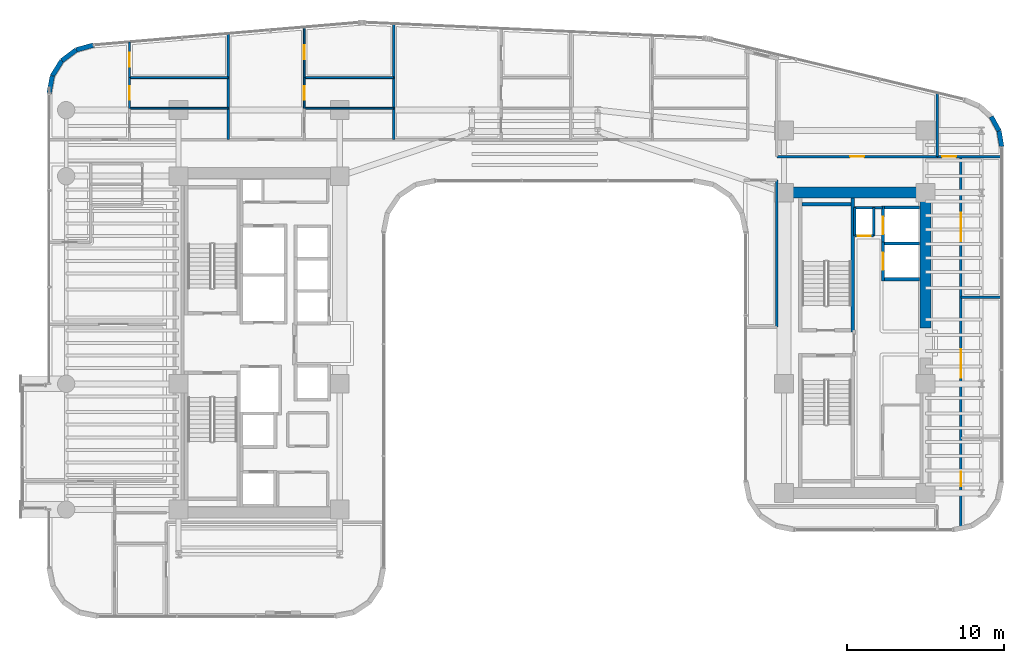
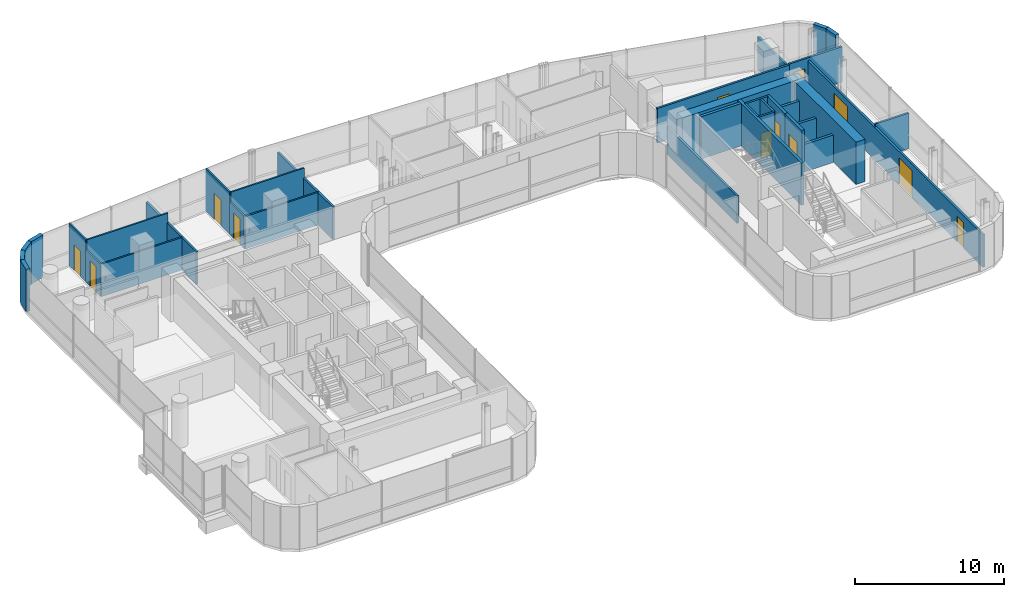
# One storey, part 31 of 37: 35 walls, 12 doors, 12 openings.
"""IFC4 building model written with IfcOpenShell, lengths in metres."""

from ifc_helpers import new_model, si_unit, direction, frame, frame_2d, origin, place, context, subcontext, project, spatial, rectangle, extrude, material, layer, layer_set, type_object, element, fill, save


model = new_model("IFC4")

# Units and contexts
model_context = context("Model", 3, precision=1e-05, world=origin(), true_north=direction((0.0, 1.0)))
body_context = subcontext(model_context, "Body", "Model", "MODEL_VIEW")
ifc_project = project(units=[si_unit("LENGTHUNIT", "METRE"), si_unit("AREAUNIT", "SQUARE_METRE"), si_unit("VOLUMEUNIT", "CUBIC_METRE"), si_unit("PLANEANGLEUNIT", "RADIAN"), si_unit("MASSUNIT", "GRAM", prefix="KILO")], contexts=[model_context])

# Site, building, storey
site_placement = place(None, origin())
site = spatial("IfcSite", under=ifc_project, at=site_placement, CompositionType="ELEMENT")
building_placement = place(site_placement, origin())
building = spatial("IfcBuilding", under=site, at=building_placement, Name="Valdorenza Pilgrim Sanctuary Tower", CompositionType="ELEMENT")
storey_placement = place(building_placement, frame((0.0, 0.0, 127.89990234375)))
storey = spatial("IfcBuildingStorey", under=building, at=storey_placement, Name="L32", CompositionType="ELEMENT", Elevation=127.89990234375)

# Wall, opening, door
ifc_material_1 = material(Name="Acoustic twin-stud gypsum partition", Category="gypsum")
ifc_layer_1 = layer(ifc_material_1, 0.159912109375, Name="Acoustic twin-stud gypsum partition")
ifc_layer_set_1 = layer_set([ifc_layer_1], Name="Acoustic twin-stud gypsum partition")
wall_type_1 = type_object("IfcWallType", Name="WAL-COR-160", PredefinedType="PARTITIONING", material=ifc_layer_set_1)
wall_1_placement = place(storey_placement, frame((20.35009765625, 6.800048828125, 0.0), z_axis=(0.0, 0.0, 1.0), x_axis=(1.0, 0.0, 0.0)))
wall_1 = element("IfcWall", 1, at=wall_1_placement, inside=storey, type_object=wall_type_1, Name="L32 Core B Riser South Wall", PredefinedType="PARTITIONING", context=body_context, shape_type="SweptSolid", body=[
    extrude(rectangle(XDim=1.199951171875, YDim=0.159912109375, at=frame_2d((0.60009765625, 0.0))), origin(), (0.0, 0.0, 1.0), 3.460205078125),
])
opening_1_placement = place(wall_1_placement, frame((0.175048828125, 0.0, 0.0)))
opening_1 = element("IfcOpeningElement", 2, at=opening_1_placement, cuts=wall_1, Name="Opening DR-RS1", PredefinedType="OPENING", context=body_context, shape_type="SweptSolid", body=[
    extrude(rectangle(XDim=0.85009765625, YDim=2.050048828125, at=frame_2d((0.425048828125, 1.02490234375))), frame((0.0, 0.0947265625, 0.0), z_axis=(0.0, -1.0, 0.0), x_axis=(1.0, 0.0, 0.0)), (0.0, 0.0, 1.0), 0.189697265625),
])
ifc_material_2 = material(Name="Painted galvanized steel", Category="steel")
door_type_1 = type_object("IfcDoorType", Name="DR-RSR-850", OperationType="NOTDEFINED", PredefinedType="DOOR", material=ifc_material_2)
door_1_placement = place(opening_1_placement, origin())
door_1 = element("IfcDoor", 3, at=door_1_placement, inside=storey, type_object=door_type_1, Name="L32 Core B Electrical Riser Door", OperationType="SINGLE_SWING_RIGHT", OverallHeight=2.050048828125, OverallWidth=0.85009765625, PredefinedType="DOOR", context=body_context, shape_type="SweptSolid", body=[
    extrude(rectangle(XDim=0.85009765625, YDim=2.050048828125, at=frame_2d((0.425048828125, 1.02490234375))), frame((0.0, 0.02490234375, 0.0), z_axis=(0.0, -1.0, 0.0), x_axis=(1.0, 0.0, 0.0)), (0.0, 0.0, 1.0), 0.050048828125),
])
fill(opening_1, door_1)

# Walls
for number, where, z_axis, x_axis, name in (
    (4, (21.550048828125, 6.800048828125, 0.0), (0.0, 0.0, 1.0), (0.0, 1.0, 0.0), "L32 Core B Riser East Wall"),
    (5, (20.35009765625, 6.800048828125, 0.0), (0.0, 0.0, 1.0), (0.0, 1.0, 0.0), "L32 Core B Riser West Wall"),
):
    element("IfcWall", number, at=place(storey_placement, frame(where, z_axis=z_axis, x_axis=x_axis)), inside=storey, type_object=wall_type_1, Name=name, PredefinedType="PARTITIONING", context=body_context, shape_type="SweptSolid", body=[
        extrude(rectangle(XDim=1.800048828125, YDim=0.159912109375, at=frame_2d((0.89990234375, 0.0))), origin(), (0.0, 0.0, 1.0), 3.460205078125),
    ])
wall_2_placement = place(storey_placement, frame((20.300048828125, 8.60009765625, 0.0), z_axis=(0.0, 0.0, 1.0), x_axis=(1.0, 0.0, 0.0)))
element("IfcWall", 6, at=wall_2_placement, inside=storey, type_object=wall_type_1, Name="L32 Core B Lift Hall North End Wall", PredefinedType="PARTITIONING", context=body_context, shape_type="SweptSolid", body=[
    extrude(rectangle(XDim=1.820068359375, YDim=0.159912109375, at=frame_2d((0.91015625, 0.0))), origin(), (0.0, 0.0, 1.0), 3.460205078125),
])

# Wall, opening, door
wall_3_placement = place(storey_placement, frame((15.39990234375, 11.85009765625, 0.0), z_axis=(0.0, 0.0, 1.0), x_axis=(1.0, 0.0, 0.0)))
wall_3 = element("IfcWall", 7, at=wall_3_placement, inside=storey, type_object=wall_type_1, Name="L32 Wing B North Corridor Wall", PredefinedType="PARTITIONING", context=body_context, shape_type="SweptSolid", body=[
    extrude(rectangle(XDim=10.2001953125, YDim=0.159912109375, at=frame_2d((5.10009765625, 0.0))), origin(), (0.0, 0.0, 1.0), 2.833984375),
])
opening_2_placement = place(wall_3_placement, frame((4.64990234375, 0.0, 0.0)))
opening_2 = element("IfcOpeningElement", 8, at=opening_2_placement, cuts=wall_3, Name="Opening DR-RM1", PredefinedType="OPENING", context=body_context, shape_type="SweptSolid", body=[
    extrude(rectangle(XDim=0.89990234375, YDim=2.10009765625, at=frame_2d((0.449951171875, 1.050048828125))), frame((0.0, 0.0947265625, 0.0), z_axis=(0.0, -1.0, 0.0), x_axis=(1.0, 0.0, 0.0)), (0.0, 0.0, 1.0), 0.189697265625),
])
ifc_material_3 = material(Name="Solid-core European oak timber", Category="wood")
door_type_2 = type_object("IfcDoorType", Name="DR-ROOM-900", OperationType="NOTDEFINED", PredefinedType="DOOR", material=ifc_material_3)
door_2_placement = place(opening_2_placement, frame((0.89990234375, 0.0, 0.0), z_axis=(0.0, 0.0, 1.0), x_axis=(-1.0, 0.0, 0.0)))
door_2 = element("IfcDoor", 9, at=door_2_placement, inside=storey, type_object=door_type_2, Name="L32 Curator Research Office L32-BN1 Door", OperationType="SINGLE_SWING_LEFT", OverallHeight=2.10009765625, OverallWidth=0.89990234375, PredefinedType="DOOR", context=body_context, shape_type="SweptSolid", body=[
    extrude(rectangle(XDim=0.89990234375, YDim=2.10009765625, at=frame_2d((0.449951171875, 1.050048828125))), frame((0.0, 0.02490234375, 0.0), z_axis=(0.0, -1.0, 0.0), x_axis=(1.0, 0.0, 0.0)), (0.0, 0.0, 1.0), 0.050048828125),
])
fill(opening_2, door_2)

# Wall
wall_4_placement = place(storey_placement, frame((25.60009765625, 11.85009765625, 0.0), z_axis=(0.0, 0.0, 1.0), x_axis=(0.0, 1.0, 0.0)))
element("IfcWall", 10, at=wall_4_placement, inside=storey, type_object=wall_type_1, Name="L32 Wing B North East Wall", PredefinedType="PARTITIONING", context=body_context, shape_type="SweptSolid", body=[
    extrude(rectangle(XDim=4.042236328125, YDim=0.159912109375, at=frame_2d((2.02099609375, 0.0))), origin(), (0.0, 0.0, 1.0), 2.666015625),
])

# Wall, openings, doors
wall_5_placement = place(storey_placement, frame((27.10009765625, -11.660888671875, 0.0), z_axis=(0.0, 0.0, 1.0), x_axis=(0.0, 1.0, 0.0)))
wall_5 = element("IfcWall", 11, at=wall_5_placement, inside=storey, type_object=wall_type_1, Name="L32 Wing B East Corridor Wall", PredefinedType="PARTITIONING", context=body_context, shape_type="SweptSolid", body=[
    extrude(rectangle(XDim=23.510986328125, YDim=0.159912109375, at=frame_2d((11.75537109375, 0.0))), origin(), (0.0, 0.0, 1.0), 2.666015625),
])
opening_3_placement = place(wall_5_placement, frame((2.56005859375, 0.0, 0.0)))
opening_3 = element("IfcOpeningElement", 12, at=opening_3_placement, cuts=wall_5, Name="Opening DR-RM1", PredefinedType="OPENING", context=body_context, shape_type="SweptSolid", body=[
    extrude(rectangle(XDim=0.89990234375, YDim=2.10009765625, at=frame_2d((0.449951171875, 1.050048828125))), frame((0.0, 0.0947265625, 0.0), z_axis=(0.0, -1.0, 0.0), x_axis=(1.0, 0.0, 0.0)), (0.0, 0.0, 1.0), 0.189697265625),
])
opening_4_placement = place(wall_5_placement, frame((9.450927734375, 0.0, 0.0)))
opening_4 = element("IfcOpeningElement", 13, at=opening_4_placement, cuts=wall_5, Name="Opening DR-HL1", PredefinedType="OPENING", context=body_context, shape_type="SweptSolid", body=[
    extrude(rectangle(XDim=1.800048828125, YDim=2.14990234375, at=frame_2d((0.89990234375, 1.074951171875))), frame((0.0, 0.0947265625, 0.0), z_axis=(0.0, -1.0, 0.0), x_axis=(1.0, 0.0, 0.0)), (0.0, 0.0, 1.0), 0.189697265625),
])
opening_5_placement = place(wall_5_placement, frame((18.135986328125, 0.0, 0.0)))
opening_5 = element("IfcOpeningElement", 14, at=opening_5_placement, cuts=wall_5, Name="Opening DR-HL1", PredefinedType="OPENING", context=body_context, shape_type="SweptSolid", body=[
    extrude(rectangle(XDim=1.800048828125, YDim=2.14990234375, at=frame_2d((0.89990234375, 1.074951171875))), frame((0.0, 0.0947265625, 0.0), z_axis=(0.0, -1.0, 0.0), x_axis=(1.0, 0.0, 0.0)), (0.0, 0.0, 1.0), 0.189697265625),
])
ifc_material_4 = material(Name="Acoustic oak and vision-glass double door", Category="glass")
door_type_3 = type_object("IfcDoorType", Name="DR-HALL-1800", OperationType="NOTDEFINED", PredefinedType="DOOR", material=ifc_material_4)
door_3_placement = place(opening_4_placement, frame((1.800048828125, 0.0, 0.0), z_axis=(0.0, 0.0, 1.0), x_axis=(-1.0, 0.0, 0.0)))
door_3 = element("IfcDoor", 15, at=door_3_placement, inside=storey, type_object=door_type_3, Name="L32 East Reading Lounge L32-EB2 Door", OperationType="DOUBLE_DOOR_SINGLE_SWING", OverallHeight=2.14990234375, OverallWidth=1.800048828125, PredefinedType="DOOR", context=body_context, shape_type="SweptSolid", body=[
    extrude(rectangle(XDim=1.800048828125, YDim=2.14990234375, at=frame_2d((0.89990234375, 1.074951171875))), frame((0.0, 0.02490234375, 0.0), z_axis=(0.0, -1.0, 0.0), x_axis=(1.0, 0.0, 0.0)), (0.0, 0.0, 1.0), 0.050048828125),
])
fill(opening_4, door_3)
door_4_placement = place(opening_5_placement, origin())
door_4 = element("IfcDoor", 16, at=door_4_placement, inside=storey, type_object=door_type_3, Name="L32 East Reading Lounge L32-EB3 Door", OperationType="DOUBLE_DOOR_SINGLE_SWING", OverallHeight=2.14990234375, OverallWidth=1.800048828125, PredefinedType="DOOR", context=body_context, shape_type="SweptSolid", body=[
    extrude(rectangle(XDim=1.800048828125, YDim=2.14990234375, at=frame_2d((0.89990234375, 1.074951171875))), frame((0.0, 0.02490234375, 0.0), z_axis=(0.0, -1.0, 0.0), x_axis=(1.0, 0.0, 0.0)), (0.0, 0.0, 1.0), 0.050048828125),
])
fill(opening_5, door_4)
door_5_placement = place(opening_3_placement, origin())
door_5 = element("IfcDoor", 17, at=door_5_placement, inside=storey, type_object=door_type_2, Name="L32 East Reading Lounge L32-EB1 Door", OperationType="SINGLE_SWING_RIGHT", OverallHeight=2.10009765625, OverallWidth=0.89990234375, PredefinedType="DOOR", context=body_context, shape_type="SweptSolid", body=[
    extrude(rectangle(XDim=0.89990234375, YDim=2.10009765625, at=frame_2d((0.449951171875, 1.050048828125))), frame((0.0, 0.02490234375, 0.0), z_axis=(0.0, -1.0, 0.0), x_axis=(1.0, 0.0, 0.0)), (0.0, 0.0, 1.0), 0.050048828125),
])
fill(opening_3, door_5)

# Wall, opening, door
wall_6_placement = place(storey_placement, frame((25.60009765625, 11.85009765625, 0.0), z_axis=(0.0, 0.0, 1.0), x_axis=(1.0, 0.0, 0.0)))
wall_6 = element("IfcWall", 18, at=wall_6_placement, inside=storey, type_object=wall_type_1, Name="L32 East Wing NE Corner South Wall", PredefinedType="PARTITIONING", context=body_context, shape_type="SweptSolid", body=[
    extrude(rectangle(XDim=4.08984375, YDim=0.159912109375, at=frame_2d((2.044921875, 0.0))), origin(), (0.0, 0.0, 1.0), 2.89599609375),
])
opening_6_placement = place(wall_6_placement, frame((0.300048828125, 0.0, 0.0)))
opening_6 = element("IfcOpeningElement", 19, at=opening_6_placement, cuts=wall_6, Name="Opening DR-RM1", PredefinedType="OPENING", context=body_context, shape_type="SweptSolid", body=[
    extrude(rectangle(XDim=0.89990234375, YDim=2.10009765625, at=frame_2d((0.449951171875, 1.050048828125))), frame((0.0, 0.0947265625, 0.0), z_axis=(0.0, -1.0, 0.0), x_axis=(1.0, 0.0, 0.0)), (0.0, 0.0, 1.0), 0.189697265625),
])
door_6_placement = place(opening_6_placement, origin())
door_6 = element("IfcDoor", 20, at=door_6_placement, inside=storey, type_object=door_type_2, Name="L32 East North Alcove Office L32 Door", OperationType="SINGLE_SWING_LEFT", OverallHeight=2.10009765625, OverallWidth=0.89990234375, PredefinedType="DOOR", context=body_context, shape_type="SweptSolid", body=[
    extrude(rectangle(XDim=0.89990234375, YDim=2.10009765625, at=frame_2d((0.449951171875, 1.050048828125))), frame((0.0, 0.02490234375, 0.0), z_axis=(0.0, -1.0, 0.0), x_axis=(1.0, 0.0, 0.0)), (0.0, 0.0, 1.0), 0.050048828125),
])
fill(opening_6, door_6)

# Walls
wall_7_placement = place(storey_placement, frame((15.39990234375, 1.0, 0.0), z_axis=(0.0, 0.0, 1.0), x_axis=(0.0, 1.0, 0.0)))
element("IfcWall", 21, at=wall_7_placement, inside=storey, type_object=wall_type_1, Name="L32 Courtyard Overlook East Wall", PredefinedType="PARTITIONING", context=body_context, shape_type="SweptSolid", body=[
    extrude(rectangle(XDim=9.35009765625, YDim=0.159912109375, at=frame_2d((4.675048828125, 0.0))), origin(), (0.0, 0.0, 1.0), 2.2451171875),
])
ifc_material_5 = material(Name="Concrete C60/75", Category="concrete")
ifc_layer_2 = layer(ifc_material_5, 0.699951171875, Name="Concrete C60/75")
ifc_layer_set_2 = layer_set([ifc_layer_2], Name="Concrete C60/75")
wall_type_2 = type_object("IfcWallType", Name="WAL-COR-700", PredefinedType="SHEAR", material=ifc_layer_set_2)
wall_8_placement = place(storey_placement, frame((24.85009765625, 0.949951171875, 0.0), z_axis=(0.0, 0.0, 1.0), x_axis=(0.0, 1.0, 0.0)))
element("IfcWall", 22, at=wall_8_placement, inside=storey, type_object=wall_type_2, Name="L32 Split Core B Shear Wall EN", PredefinedType="SHEAR", context=body_context, shape_type="SweptSolid", body=[
    extrude(rectangle(XDim=8.949951171875, YDim=0.699951171875, at=frame_2d((4.47509765625, 0.0))), origin(), (0.0, 0.0, 1.0), 3.460205078125),
])
wall_9_placement = place(storey_placement, frame((15.85009765625, 9.550048828125, 0.0), z_axis=(0.0, 0.0, 1.0), x_axis=(1.0, 0.0, 0.0)))
element("IfcWall", 23, at=wall_9_placement, inside=storey, type_object=wall_type_2, Name="L32 Split Core B Shear Wall N", PredefinedType="SHEAR", context=body_context, shape_type="SweptSolid", body=[
    extrude(rectangle(XDim=9.0, YDim=0.699951171875, at=frame_2d((4.5, 0.0))), origin(), (0.0, 0.0, 1.0), 3.460205078125),
])
ifc_material_6 = material(Name="Honed travertine limestone", Category="masonry")
ifc_layer_3 = layer(ifc_material_6, 0.300048828125, Name="Honed travertine limestone")
ifc_layer_set_3 = layer_set([ifc_layer_3], Name="Honed travertine limestone")
wall_type_3 = type_object("IfcWallType", Name="WAL-EXT-300", PredefinedType="SOLIDWALL", material=ifc_layer_set_3)
wall_10_placement = place(storey_placement, frame((-30.889892578125, 15.850341796875, 0.0), z_axis=(0.0, 0.0, 1.0), x_axis=(0.184557499391, 0.982821718023, 0.0)))
element("IfcWall", 24, at=wall_10_placement, inside=storey, type_object=wall_type_3, Name="L32 Rounded Wind-Corner Stone Pier 2", PredefinedType="SOLIDWALL", context=body_context, shape_type="SweptSolid", body=[
    extrude(rectangle(XDim=1.15087890625, YDim=0.300048828125, at=frame_2d((0.575439453125, 0.0))), origin(), (0.0, 0.0, 1.0), 3.460205078125),
])
wall_11_placement = place(storey_placement, frame((-30.677490234375, 16.9814453125, 0.0), z_axis=(0.0, 0.0, 1.0), x_axis=(0.52880576008, 0.848742875143, 0.0)))
element("IfcWall", 25, at=wall_11_placement, inside=storey, type_object=wall_type_3, Name="L32 Rounded Wind-Corner Stone Pier 3", PredefinedType="SOLIDWALL", context=body_context, shape_type="SweptSolid", body=[
    extrude(rectangle(XDim=1.140869140625, YDim=0.300048828125, at=frame_2d((0.5703125, 0.0))), origin(), (0.0, 0.0, 1.0), 3.460205078125),
])
wall_12_placement = place(storey_placement, frame((-30.07421875, 17.94970703125, 0.0), z_axis=(0.0, 0.0, 1.0), x_axis=(0.800975009324, 0.598697782223, 0.0)))
element("IfcWall", 26, at=wall_12_placement, inside=storey, type_object=wall_type_3, Name="L32 Rounded Wind-Corner Stone Pier 4", PredefinedType="SOLIDWALL", context=body_context, shape_type="SweptSolid", body=[
    extrude(rectangle(XDim=1.140625, YDim=0.300048828125, at=frame_2d((0.5703125, 0.0))), origin(), (0.0, 0.0, 1.0), 3.460205078125),
])
wall_13_placement = place(storey_placement, frame((-29.16064453125, 18.632568359375, 0.0), z_axis=(0.0, 0.0, 1.0), x_axis=(0.963624193367, 0.267260947313, 0.0)))
element("IfcWall", 27, at=wall_13_placement, inside=storey, type_object=wall_type_3, Name="L32 Rounded Wind-Corner Stone Pier 5", PredefinedType="SOLIDWALL", context=body_context, shape_type="SweptSolid", body=[
    extrude(rectangle(XDim=1.15087890625, YDim=0.300048828125, at=frame_2d((0.575439453125, 0.0))), origin(), (0.0, 0.0, 1.0), 3.460205078125),
])
wall_14_placement = place(storey_placement, frame((29.024658203125, 14.388427734375, 0.0), z_axis=(0.0, 0.0, 1.0), x_axis=(0.480284137298, -0.87711296163, 0.0)))
element("IfcWall", 28, at=wall_14_placement, inside=storey, type_object=wall_type_3, Name="L32 Rounded Wind-Corner Stone Pier 19", PredefinedType="SOLIDWALL", context=body_context, shape_type="SweptSolid", body=[
    extrude(rectangle(XDim=1.02685546875, YDim=0.300048828125, at=frame_2d((0.513427734375, 0.0))), origin(), (0.0, 0.0, 1.0), 3.460205078125),
])
wall_15_placement = place(storey_placement, frame((29.517822265625, 13.48779296875, 0.0), z_axis=(0.0, 0.0, 1.0), x_axis=(0.166156796952, -0.986099345313, 0.0)))
element("IfcWall", 29, at=wall_15_placement, inside=storey, type_object=wall_type_3, Name="L32 Rounded Wind-Corner Stone Pier 20", PredefinedType="SOLIDWALL", context=body_context, shape_type="SweptSolid", body=[
    extrude(rectangle(XDim=1.035888671875, YDim=0.300048828125, at=frame_2d((0.51806640625, 0.0))), origin(), (0.0, 0.0, 1.0), 3.460205078125),
])
ifc_material_7 = material(Name="Moisture-resistant gypsum partition", Category="gypsum")
ifc_layer_4 = layer(ifc_material_7, 0.1201171875, Name="Moisture-resistant gypsum partition")
ifc_layer_set_4 = layer_set([ifc_layer_4], Name="Moisture-resistant gypsum partition")
wall_type_4 = type_object("IfcWallType", Name="WAL-INT-120", PredefinedType="PARTITIONING", material=ifc_layer_set_4)
wall_16_placement = place(storey_placement, frame((-25.77490234375, 14.919921875, 0.0), z_axis=(0.0, 0.0, 1.0), x_axis=(1.0, 0.0, 0.0)))
element("IfcWall", 30, at=wall_16_placement, inside=storey, type_object=wall_type_4, Name="L32 North Sanctuary Apartment L32-N1 Bath-Kitchen Wall", PredefinedType="PARTITIONING", context=body_context, shape_type="SweptSolid", body=[
    extrude(rectangle(XDim=6.27490234375, YDim=0.1201171875, at=frame_2d((3.137451171875, 0.0))), origin(), (0.0, 0.0, 1.0), 2.666015625),
])
wall_17_placement = place(storey_placement, frame((-25.77490234375, 16.8701171875, 0.0), z_axis=(0.0, 0.0, 1.0), x_axis=(1.0, 0.0, 0.0)))
element("IfcWall", 31, at=wall_17_placement, inside=storey, type_object=wall_type_4, Name="L32 North Sanctuary Apartment L32-N1 Kitchen-Bedroom Wall", PredefinedType="PARTITIONING", context=body_context, shape_type="SweptSolid", body=[
    extrude(rectangle(XDim=6.27490234375, YDim=0.1201171875, at=frame_2d((3.137451171875, 0.0))), origin(), (0.0, 0.0, 1.0), 3.460205078125),
])

# Wall, opening, door
wall_18_placement = place(storey_placement, frame((-25.77490234375, 14.919921875, 0.0), z_axis=(0.0, 0.0, 1.0), x_axis=(0.0, 1.0, 0.0)))
wall_18 = element("IfcWall", 32, at=wall_18_placement, inside=storey, type_object=wall_type_4, Name="L32 North Sanctuary Apartment L32-N1 Bathroom Door Wall", PredefinedType="PARTITIONING", context=body_context, shape_type="SweptSolid", body=[
    extrude(rectangle(XDim=1.9501953125, YDim=0.1201171875, at=frame_2d((0.97509765625, 0.0))), origin(), (0.0, 0.0, 1.0), 2.666015625),
])
opening_7_placement = place(wall_18_placement, frame((0.550048828125, 0.0, 0.0)))
opening_7 = element("IfcOpeningElement", 33, at=opening_7_placement, cuts=wall_18, Name="Opening DR-WC1", PredefinedType="OPENING", context=body_context, shape_type="SweptSolid", body=[
    extrude(rectangle(XDim=0.85009765625, YDim=2.10009765625, at=frame_2d((0.425048828125, 1.050048828125))), frame((0.0, 0.074951171875, 0.0), z_axis=(0.0, -1.0, 0.0), x_axis=(1.0, 0.0, 0.0)), (0.0, 0.0, 1.0), 0.14990234375),
])
ifc_material_8 = material(Name="Moisture-resistant lacquered timber", Category="wood")
door_type_4 = type_object("IfcDoorType", Name="DR-BATH-850", OperationType="NOTDEFINED", PredefinedType="DOOR", material=ifc_material_8)
door_7_placement = place(opening_7_placement, origin())
door_7 = element("IfcDoor", 34, at=door_7_placement, inside=storey, type_object=door_type_4, Name="L32 North Sanctuary Apartment L32-N1 Bathroom Door", OperationType="SINGLE_SWING_RIGHT", OverallHeight=2.10009765625, OverallWidth=0.85009765625, PredefinedType="DOOR", context=body_context, shape_type="SweptSolid", body=[
    extrude(rectangle(XDim=0.85009765625, YDim=2.10009765625, at=frame_2d((0.425048828125, 1.050048828125))), frame((0.0, 0.02490234375, 0.0), z_axis=(0.0, -1.0, 0.0), x_axis=(1.0, 0.0, 0.0)), (0.0, 0.0, 1.0), 0.050048828125),
])
fill(opening_7, door_7)

wall_19_placement = place(storey_placement, frame((-25.77490234375, 16.8701171875, 0.0), z_axis=(0.0, 0.0, 1.0), x_axis=(0.0, 1.0, 0.0)))
wall_19 = element("IfcWall", 35, at=wall_19_placement, inside=storey, type_object=wall_type_4, Name="L32 North Sanctuary Apartment L32-N1 Bedroom Door Wall", PredefinedType="PARTITIONING", context=body_context, shape_type="SweptSolid", body=[
    extrude(rectangle(XDim=2.263671875, YDim=0.1201171875, at=frame_2d((1.1318359375, 0.0))), origin(), (0.0, 0.0, 1.0), 3.460205078125),
])
opening_8_placement = place(wall_19_placement, frame((0.681884765625, 0.0, 0.0)))
opening_8 = element("IfcOpeningElement", 36, at=opening_8_placement, cuts=wall_19, Name="Opening DR-RM1", PredefinedType="OPENING", context=body_context, shape_type="SweptSolid", body=[
    extrude(rectangle(XDim=0.89990234375, YDim=2.10009765625, at=frame_2d((0.449951171875, 1.050048828125))), frame((0.0, 0.074951171875, 0.0), z_axis=(0.0, -1.0, 0.0), x_axis=(1.0, 0.0, 0.0)), (0.0, 0.0, 1.0), 0.14990234375),
])
door_8_placement = place(opening_8_placement, origin())
door_8 = element("IfcDoor", 37, at=door_8_placement, inside=storey, type_object=door_type_2, Name="L32 North Sanctuary Apartment L32-N1 Bedroom Door", OperationType="SINGLE_SWING_RIGHT", OverallHeight=2.10009765625, OverallWidth=0.89990234375, PredefinedType="DOOR", context=body_context, shape_type="SweptSolid", body=[
    extrude(rectangle(XDim=0.89990234375, YDim=2.10009765625, at=frame_2d((0.449951171875, 1.050048828125))), frame((0.0, 0.02490234375, 0.0), z_axis=(0.0, -1.0, 0.0), x_axis=(1.0, 0.0, 0.0)), (0.0, 0.0, 1.0), 0.050048828125),
])
fill(opening_8, door_8)

# Walls
wall_20_placement = place(storey_placement, frame((-14.658447265625, 14.919921875, 0.0), z_axis=(0.0, 0.0, 1.0), x_axis=(1.0, 0.0, 0.0)))
element("IfcWall", 38, at=wall_20_placement, inside=storey, type_object=wall_type_4, Name="L32 North Sanctuary Apartment L32-N2 Bath-Kitchen Wall", PredefinedType="PARTITIONING", context=body_context, shape_type="SweptSolid", body=[
    extrude(rectangle(XDim=5.683349609375, YDim=0.1201171875, at=frame_2d((2.841796875, 0.0))), origin(), (0.0, 0.0, 1.0), 2.666015625),
])
wall_21_placement = place(storey_placement, frame((-14.658447265625, 16.8701171875, 0.0), z_axis=(0.0, 0.0, 1.0), x_axis=(1.0, 0.0, 0.0)))
element("IfcWall", 39, at=wall_21_placement, inside=storey, type_object=wall_type_4, Name="L32 North Sanctuary Apartment L32-N2 Kitchen-Bedroom Wall", PredefinedType="PARTITIONING", context=body_context, shape_type="SweptSolid", body=[
    extrude(rectangle(XDim=5.683349609375, YDim=0.1201171875, at=frame_2d((2.841796875, 0.0))), origin(), (0.0, 0.0, 1.0), 3.460205078125),
])

# Wall, opening, door
wall_22_placement = place(storey_placement, frame((-14.658447265625, 14.919921875, 0.0), z_axis=(0.0, 0.0, 1.0), x_axis=(0.0, 1.0, 0.0)))
wall_22 = element("IfcWall", 40, at=wall_22_placement, inside=storey, type_object=wall_type_4, Name="L32 North Sanctuary Apartment L32-N2 Bathroom Door Wall", PredefinedType="PARTITIONING", context=body_context, shape_type="SweptSolid", body=[
    extrude(rectangle(XDim=1.9501953125, YDim=0.1201171875, at=frame_2d((0.97509765625, 0.0))), origin(), (0.0, 0.0, 1.0), 2.666015625),
])
opening_9_placement = place(wall_22_placement, frame((0.550048828125, 0.0, 0.0)))
opening_9 = element("IfcOpeningElement", 41, at=opening_9_placement, cuts=wall_22, Name="Opening DR-WC1", PredefinedType="OPENING", context=body_context, shape_type="SweptSolid", body=[
    extrude(rectangle(XDim=0.85009765625, YDim=2.10009765625, at=frame_2d((0.425048828125, 1.050048828125))), frame((0.0, 0.074951171875, 0.0), z_axis=(0.0, -1.0, 0.0), x_axis=(1.0, 0.0, 0.0)), (0.0, 0.0, 1.0), 0.14990234375),
])
door_9_placement = place(opening_9_placement, origin())
door_9 = element("IfcDoor", 42, at=door_9_placement, inside=storey, type_object=door_type_4, Name="L32 North Sanctuary Apartment L32-N2 Bathroom Door", OperationType="SINGLE_SWING_RIGHT", OverallHeight=2.10009765625, OverallWidth=0.85009765625, PredefinedType="DOOR", context=body_context, shape_type="SweptSolid", body=[
    extrude(rectangle(XDim=0.85009765625, YDim=2.10009765625, at=frame_2d((0.425048828125, 1.050048828125))), frame((0.0, 0.02490234375, 0.0), z_axis=(0.0, -1.0, 0.0), x_axis=(1.0, 0.0, 0.0)), (0.0, 0.0, 1.0), 0.050048828125),
])
fill(opening_9, door_9)

wall_23_placement = place(storey_placement, frame((-14.658447265625, 16.8701171875, 0.0), z_axis=(0.0, 0.0, 1.0), x_axis=(0.0, 1.0, 0.0)))
wall_23 = element("IfcWall", 43, at=wall_23_placement, inside=storey, type_object=wall_type_4, Name="L32 North Sanctuary Apartment L32-N2 Bedroom Door Wall", PredefinedType="PARTITIONING", context=body_context, shape_type="SweptSolid", body=[
    extrude(rectangle(XDim=3.20849609375, YDim=0.1201171875, at=frame_2d((1.604248046875, 0.0))), origin(), (0.0, 0.0, 1.0), 3.460205078125),
])
opening_10_placement = place(wall_23_placement, frame((1.154052734375, 0.0, 0.0)))
opening_10 = element("IfcOpeningElement", 44, at=opening_10_placement, cuts=wall_23, Name="Opening DR-RM1", PredefinedType="OPENING", context=body_context, shape_type="SweptSolid", body=[
    extrude(rectangle(XDim=0.89990234375, YDim=2.10009765625, at=frame_2d((0.449951171875, 1.050048828125))), frame((0.0, 0.074951171875, 0.0), z_axis=(0.0, -1.0, 0.0), x_axis=(1.0, 0.0, 0.0)), (0.0, 0.0, 1.0), 0.14990234375),
])
door_10_placement = place(opening_10_placement, origin())
door_10 = element("IfcDoor", 45, at=door_10_placement, inside=storey, type_object=door_type_2, Name="L32 North Sanctuary Apartment L32-N2 Bedroom Door", OperationType="SINGLE_SWING_RIGHT", OverallHeight=2.10009765625, OverallWidth=0.89990234375, PredefinedType="DOOR", context=body_context, shape_type="SweptSolid", body=[
    extrude(rectangle(XDim=0.89990234375, YDim=2.10009765625, at=frame_2d((0.449951171875, 1.050048828125))), frame((0.0, 0.02490234375, 0.0), z_axis=(0.0, -1.0, 0.0), x_axis=(1.0, 0.0, 0.0)), (0.0, 0.0, 1.0), 0.050048828125),
])
fill(opening_10, door_10)

ifc_material_9 = material(Name="Autoclaved aerated concrete blockwork", Category="masonry")
ifc_layer_5 = layer(ifc_material_9, 0.199951171875, Name="Autoclaved aerated concrete blockwork")
ifc_layer_set_5 = layer_set([ifc_layer_5], Name="Autoclaved aerated concrete blockwork")
wall_type_5 = type_object("IfcWallType", Name="WAL-SHF-200", PredefinedType="MOVABLE", material=ifc_layer_set_5)
wall_24_placement = place(storey_placement, frame((22.14990234375, 3.949951171875, 0.0), z_axis=(0.0, 0.0, 1.0), x_axis=(0.0, 1.0, 0.0)))
wall_24 = element("IfcWall", 46, at=wall_24_placement, inside=storey, type_object=wall_type_5, Name="L32 Lift PL-07 Hoistway Wall West", PredefinedType="MOVABLE", context=body_context, shape_type="SweptSolid", body=[
    extrude(rectangle(XDim=2.47509765625, YDim=0.199951171875, at=frame_2d((1.237548828125, 0.0))), origin(), (0.0, 0.0, 1.0), 3.460205078125),
])
opening_11_placement = place(wall_24_placement, frame((0.6875, 0.0, 0.0)))
opening_11 = element("IfcOpeningElement", 47, at=opening_11_placement, cuts=wall_24, Name="Opening LD-01", PredefinedType="OPENING", context=body_context, shape_type="SweptSolid", body=[
    extrude(rectangle(XDim=1.10009765625, YDim=2.10009765625, at=frame_2d((0.550048828125, 1.050048828125))), frame((0.0, 0.11474609375, 0.0), z_axis=(0.0, -1.0, 0.0), x_axis=(1.0, 0.0, 0.0)), (0.0, 0.0, 1.0), 0.229736328125),
])
ifc_material_10 = material(Name="Brushed stainless steel Grade 316", Category="steel")
door_type_5 = type_object("IfcDoorType", Name="DR-LFT-1100", OperationType="DOUBLE_DOOR_SLIDING", PredefinedType="DOOR", material=ifc_material_10)
door_11_placement = place(opening_11_placement, origin())
door_11 = element("IfcDoor", 48, at=door_11_placement, inside=storey, type_object=door_type_5, Name="L32 Lift PL-07 Sliding Landing Door", OperationType="DOUBLE_DOOR_SLIDING", OverallHeight=2.10009765625, OverallWidth=1.10009765625, PredefinedType="DOOR", context=body_context, shape_type="SweptSolid", body=[
    extrude(rectangle(XDim=1.10009765625, YDim=2.10009765625, at=frame_2d((0.550048828125, 1.050048828125))), frame((0.0, 0.02490234375, 0.0), z_axis=(0.0, -1.0, 0.0), x_axis=(1.0, 0.0, 0.0)), (0.0, 0.0, 1.0), 0.050048828125),
])
fill(opening_11, door_11)

# Walls
for number, where, z_axis, x_axis, name in (
    (49, (22.25, 4.050048828125, 0.0), (0.0, 0.0, 1.0), (1.0, 0.0, 0.0), "L32 Lift PL-07 Hoistway Wall South"),
    (50, (22.25, 6.324951171875, 0.0), (0.0, 0.0, 1.0), (1.0, 0.0, 0.0), "L32 Lift PL-07 Hoistway Wall North"),
):
    element("IfcWall", number, at=place(storey_placement, frame(where, z_axis=z_axis, x_axis=x_axis)), inside=storey, type_object=wall_type_5, Name=name, PredefinedType="MOVABLE", context=body_context, shape_type="SweptSolid", body=[
        extrude(rectangle(XDim=2.22998046875, YDim=0.199951171875, at=frame_2d((1.114990234375, 0.0))), origin(), (0.0, 0.0, 1.0), 2.2451171875),
    ])

# Wall, opening, door
wall_25_placement = place(storey_placement, frame((22.14990234375, 6.22509765625, 0.0), z_axis=(0.0, 0.0, 1.0), x_axis=(0.0, 1.0, 0.0)))
wall_25 = element("IfcWall", 51, at=wall_25_placement, inside=storey, type_object=wall_type_5, Name="L32 Lift PL-08 Hoistway Wall West", PredefinedType="MOVABLE", context=body_context, shape_type="SweptSolid", body=[
    extrude(rectangle(XDim=2.474853515625, YDim=0.199951171875, at=frame_2d((1.2373046875, 0.0))), origin(), (0.0, 0.0, 1.0), 3.460205078125),
])
opening_12_placement = place(wall_25_placement, frame((0.6875, 0.0, 0.0)))
opening_12 = element("IfcOpeningElement", 52, at=opening_12_placement, cuts=wall_25, Name="Opening LD-01", PredefinedType="OPENING", context=body_context, shape_type="SweptSolid", body=[
    extrude(rectangle(XDim=1.10009765625, YDim=2.10009765625, at=frame_2d((0.550048828125, 1.050048828125))), frame((0.0, 0.11474609375, 0.0), z_axis=(0.0, -1.0, 0.0), x_axis=(1.0, 0.0, 0.0)), (0.0, 0.0, 1.0), 0.229736328125),
])
door_12_placement = place(opening_12_placement, origin())
door_12 = element("IfcDoor", 53, at=door_12_placement, inside=storey, type_object=door_type_5, Name="L32 Lift PL-08 Sliding Landing Door", OperationType="DOUBLE_DOOR_SLIDING", OverallHeight=2.10009765625, OverallWidth=1.10009765625, PredefinedType="DOOR", context=body_context, shape_type="SweptSolid", body=[
    extrude(rectangle(XDim=1.10009765625, YDim=2.10009765625, at=frame_2d((0.550048828125, 1.050048828125))), frame((0.0, 0.02490234375, 0.0), z_axis=(0.0, -1.0, 0.0), x_axis=(1.0, 0.0, 0.0)), (0.0, 0.0, 1.0), 0.050048828125),
])
fill(opening_12, door_12)

# Walls
wall_26_placement = place(storey_placement, frame((22.25, 8.60009765625, 0.0), z_axis=(0.0, 0.0, 1.0), x_axis=(1.0, 0.0, 0.0)))
element("IfcWall", 54, at=wall_26_placement, inside=storey, type_object=wall_type_5, Name="L32 Lift PL-08 Hoistway Wall North", PredefinedType="MOVABLE", context=body_context, shape_type="SweptSolid", body=[
    extrude(rectangle(XDim=2.22998046875, YDim=0.199951171875, at=frame_2d((1.114990234375, 0.0))), origin(), (0.0, 0.0, 1.0), 2.2451171875),
])
ifc_material_11 = material(Name="Concrete C40/50", Category="concrete")
ifc_layer_6 = layer(ifc_material_11, 0.219970703125, Name="Concrete C40/50")
ifc_layer_set_6 = layer_set([ifc_layer_6], Name="Concrete C40/50")
wall_type_6 = type_object("IfcWallType", Name="WAL-STR-SHF-220", PredefinedType="SHEAR", material=ifc_layer_set_6)
wall_27_placement = place(storey_placement, frame((20.219970703125, 0.679931640625, 0.0), z_axis=(0.0, 0.0, 1.0), x_axis=(0.0, 1.0, 0.0)))
element("IfcWall", 55, at=wall_27_placement, inside=storey, type_object=wall_type_6, Name="L32 ST-B1 Structural Stairwell Wall E", PredefinedType="SHEAR", context=body_context, shape_type="SweptSolid", body=[
    extrude(rectangle(XDim=8.52001953125, YDim=0.219970703125, at=frame_2d((4.260009765625, 0.0))), origin(), (0.0, 0.0, 1.0), 3.460205078125),
])
wall_28_placement = place(storey_placement, frame((17.0, 8.81005859375, 0.0), z_axis=(0.0, 0.0, 1.0), x_axis=(1.0, 0.0, 0.0)))
element("IfcWall", 56, at=wall_28_placement, inside=storey, type_object=wall_type_6, Name="L32 ST-B1 Structural Stairwell Wall N", PredefinedType="SHEAR", context=body_context, shape_type="SweptSolid", body=[
    extrude(rectangle(XDim=3.110107421875, YDim=0.219970703125, at=frame_2d((1.55517578125, 0.0))), origin(), (0.0, 0.0, 1.0), 3.460205078125),
])
ifc_layer_7 = layer(ifc_material_1, 0.14990234375, Name="Acoustic twin-stud gypsum partition")
ifc_layer_set_7 = layer_set([ifc_layer_7], Name="Acoustic twin-stud gypsum partition")
wall_type_7 = type_object("IfcWallType", Name="WAL-UNT-150", PredefinedType="PARTITIONING", material=ifc_layer_set_7)
wall_29_placement = place(storey_placement, frame((-19.5, 12.919921875, 0.0), z_axis=(0.0, 0.0, 1.0), x_axis=(0.0, 1.0, 0.0)))
element("IfcWall", 57, at=wall_29_placement, inside=storey, type_object=wall_type_7, Name="L32 North Apt Demising 1", PredefinedType="PARTITIONING", context=body_context, shape_type="SweptSolid", body=[
    extrude(rectangle(XDim=6.7470703125, YDim=0.14990234375, at=frame_2d((3.37353515625, 0.0))), origin(), (0.0, 0.0, 1.0), 2.666015625),
])
wall_30_placement = place(storey_placement, frame((-8.97509765625, 12.919921875, 0.0), z_axis=(0.0, 0.0, 1.0), x_axis=(0.0, 1.0, 0.0)))
element("IfcWall", 58, at=wall_30_placement, inside=storey, type_object=wall_type_7, Name="L32 North Apt Demising 2", PredefinedType="PARTITIONING", context=body_context, shape_type="SweptSolid", body=[
    extrude(rectangle(XDim=7.3779296875, YDim=0.14990234375, at=frame_2d((3.68896484375, 0.0))), origin(), (0.0, 0.0, 1.0), 2.666015625),
])
wall_31_placement = place(storey_placement, frame((27.10009765625, 2.89990234375, 0.0), z_axis=(0.0, 0.0, 1.0), x_axis=(1.0, 0.0, 0.0)))
element("IfcWall", 59, at=wall_31_placement, inside=storey, type_object=wall_type_7, Name="L32 East Reading Lounge L32-EB3 Demising Wall", PredefinedType="PARTITIONING", context=body_context, shape_type="SweptSolid", body=[
    extrude(rectangle(XDim=2.58984375, YDim=0.14990234375, at=frame_2d((1.294921875, 0.0))), origin(), (0.0, 0.0, 1.0), 2.89599609375),
])

save(model, "model.ifc")
